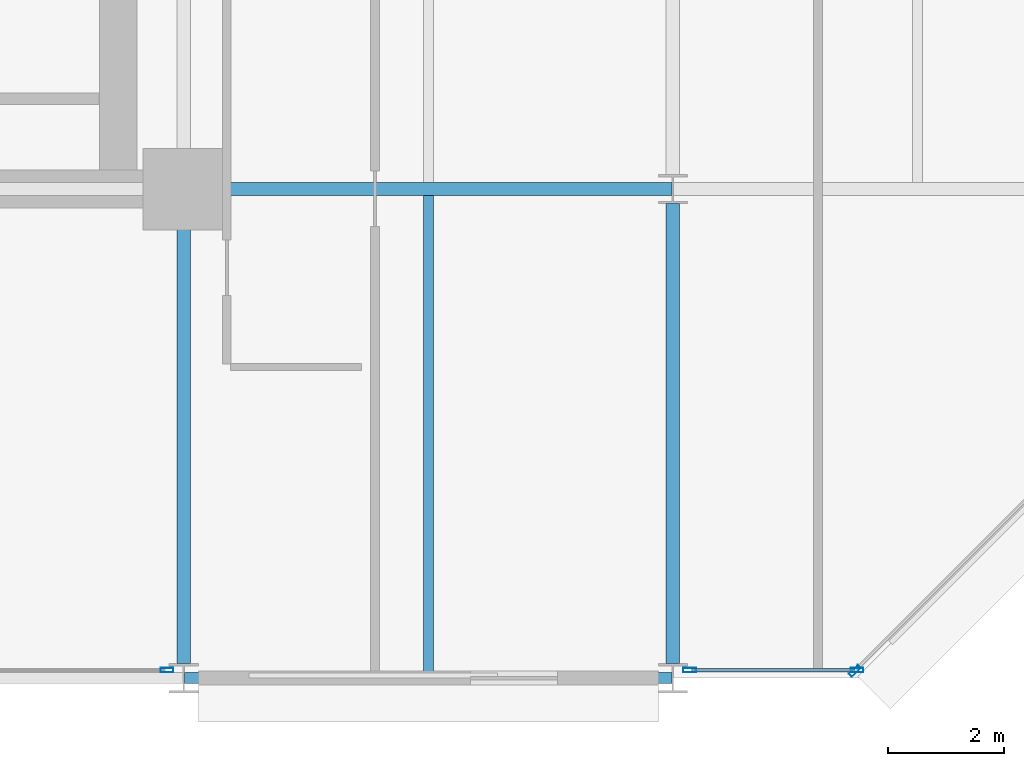
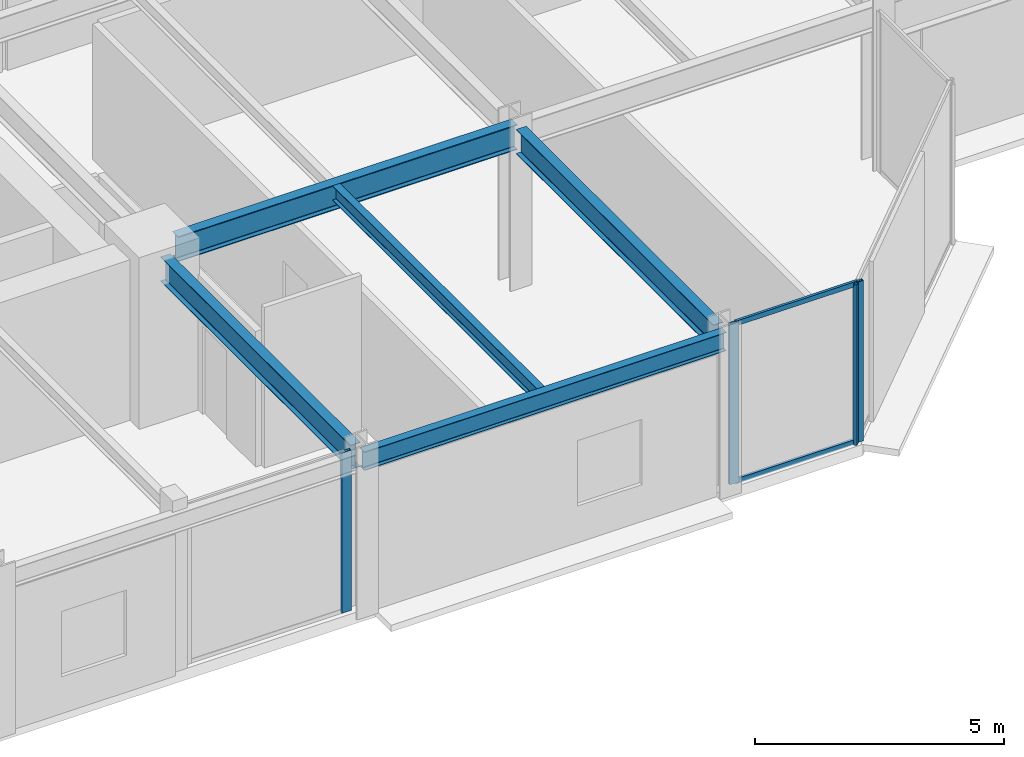
# One storey, part 11 of 27: 6 members, 5 beams, 3 elements without a shape of their own.
"""IFC4 building model written with IfcOpenShell, lengths in metres."""

import ifcopenshell
import ifcopenshell.guid

model = None  # the IFC model being written
_history = None  # IfcOwnerHistory: only IFC2X3 demands one
_inside = {}  # id of a spatial element -> (the spatial element, [elements in it])
_under = {}  # id of a project, library or spatial element -> (it, [spatial elements below it])
_declared = {}  # id of a project -> (the project, [libraries it declares])
_typed = {}  # id of a type object -> (the type object, [elements of that type])
_made_of = {}  # id of a material, layer set ... -> (it, [elements and type objects made of it])


def new_model(schema):
    """Start an empty IFC model of exactly this schema.

    Asked for "IFC4X3", IfcOpenShell would pick the latest addendum, in which some entities
    have other attributes; the version numbers below select the first issue.
    IFC2X3 requires an IfcOwnerHistory on every rooted entity: one is made here for all.
    """
    global model, _history
    if schema == "IFC4X3":
        model = ifcopenshell.file(schema_version=(4, 3, 0, 0))
    else:
        model = ifcopenshell.file(schema=schema)
    _inside.clear()
    _under.clear()
    _declared.clear()
    _typed.clear()
    _made_of.clear()
    _history = None
    if model.schema == "IFC2X3":
        org = make("IfcOrganization", Name="unknown")
        user = make(
            "IfcPersonAndOrganization",
            ThePerson=make("IfcPerson", FamilyName="unknown"),
            TheOrganization=org,
        )
        app = make(
            "IfcApplication",
            ApplicationDeveloper=org,
            Version="unknown",
            ApplicationFullName="unknown",
            ApplicationIdentifier="unknown",
        )
        _history = make(
            "IfcOwnerHistory",
            OwningUser=user,
            OwningApplication=app,
            ChangeAction="ADDED",
            CreationDate=0,
        )
    return model


def make(cls, **values):
    """One entity of the class cls with the attributes given. An attribute that is None is left unset."""
    return model.create_entity(
        cls, **{name: value for name, value in values.items() if value is not None}
    )


def rooted(cls, **values):
    """An entity with a GlobalId (a new one), such as an element, a storey or a relation."""
    return make(cls, GlobalId=ifcopenshell.guid.new(), OwnerHistory=_history, **values)


def si_unit(unit_type, name, prefix=None):
    """IfcSIUnit, for example si_unit("LENGTHUNIT", "METRE", prefix="MILLI")."""
    return make("IfcSIUnit", UnitType=unit_type, Prefix=prefix, Name=name)


def assignment(units):
    """IfcUnitAssignment: the units of a project."""
    return None if units is None else make("IfcUnitAssignment", Units=units)


def point(xyz):
    """IfcCartesianPoint."""
    return None if xyz is None else make("IfcCartesianPoint", Coordinates=xyz)


def direction(xyz):
    """IfcDirection."""
    return None if xyz is None else make("IfcDirection", DirectionRatios=xyz)


def frame(location, z_axis=None, x_axis=None):
    """IfcAxis2Placement3D, a coordinate frame: its origin and axes. An axis left out is left unset."""
    return make(
        "IfcAxis2Placement3D",
        Location=point(location),
        Axis=direction(z_axis),
        RefDirection=direction(x_axis),
    )


def frame_2d(location, x_axis=None):
    """IfcAxis2Placement2D, a coordinate frame in the plane: its origin and x axis."""
    return make(
        "IfcAxis2Placement2D", Location=point(location), RefDirection=direction(x_axis)
    )


def origin():
    """The frame at (0, 0, 0) with its axes left unset."""
    return frame((0.0, 0.0, 0.0))


def origin_2d():
    """The frame at (0, 0) in the plane with its x axis left unset."""
    return frame_2d((0.0, 0.0))


def place(relative_to, where):
    """IfcLocalPlacement: puts the frame where relative to a parent placement (None: the world)."""
    return make(
        "IfcLocalPlacement", PlacementRelTo=relative_to, RelativePlacement=where
    )


def context(
    kind, dimensions, precision=None, world=None, true_north=None, identifier=None
):
    """IfcGeometricRepresentationContext, for example the 3D "Model" context."""
    return make(
        "IfcGeometricRepresentationContext",
        ContextIdentifier=identifier,
        ContextType=kind,
        CoordinateSpaceDimension=dimensions,
        Precision=precision,
        WorldCoordinateSystem=world,
        TrueNorth=true_north,
    )


def subcontext(parent, identifier, kind, view, scale=None):
    """IfcGeometricRepresentationSubContext, for example "Body" below "Model"."""
    return make(
        "IfcGeometricRepresentationSubContext",
        ContextIdentifier=identifier,
        ContextType=kind,
        ParentContext=parent,
        TargetScale=scale,
        TargetView=view,
    )


def project(units=None, contexts=None):
    """IfcProject with its units and contexts."""
    return rooted(
        "IfcProject",
        Name="project",
        RepresentationContexts=contexts,
        UnitsInContext=assignment(units),
    )


def spatial(cls, under=None, at=None, **own):
    """A site, building, storey or space (cls), placed at a placement, below another one or the project."""
    s = rooted(cls, ObjectPlacement=at, **own)
    if under is not None:
        _under.setdefault(under.id(), (under, []))[1].append(s)
    return s


def profile(cls, at=None, kind="AREA", **sizes):
    """A parametric profile (cls). Its sizes go by their IFC names, for example OverallWidth=200.0."""
    return make(cls, ProfileType=kind, Position=at, **sizes)


def hollow_rectangle(**sizes):
    """IfcRectangleHollowProfileDef."""
    return profile("IfcRectangleHollowProfileDef", **sizes)


def i_section(**sizes):
    """IfcIShapeProfileDef."""
    return profile("IfcIShapeProfileDef", **sizes)


def extrude(swept, where, along, depth):
    """IfcExtrudedAreaSolid: the profile swept, set in the frame where, extruded along a direction by depth."""
    return make(
        "IfcExtrudedAreaSolid",
        SweptArea=swept,
        Position=where,
        ExtrudedDirection=direction(along),
        Depth=depth,
    )


def shape(context_of_items, identifier, shape_type, items):
    """IfcShapeRepresentation: the items that make up one representation, for example the "Body"."""
    return make(
        "IfcShapeRepresentation",
        ContextOfItems=context_of_items,
        RepresentationIdentifier=identifier,
        RepresentationType=shape_type,
        Items=items,
    )


def material(Name=None, Category=None):
    """IfcMaterial."""
    return make("IfcMaterial", Name=Name, Category=Category)


def layer(
    of_material, thickness, ventilated=None, Name=None, Category=None, Priority=None
):
    """IfcMaterialLayer: one layer of a wall or slab, of a material (None: an air gap)."""
    return make(
        "IfcMaterialLayer",
        Material=of_material,
        LayerThickness=thickness,
        IsVentilated=ventilated,
        Name=Name,
        Category=Category,
        Priority=Priority,
    )


def layer_set(layers, Name=None):
    """IfcMaterialLayerSet."""
    return make("IfcMaterialLayerSet", MaterialLayers=layers, LayerSetName=Name)


def material_profile(
    of_material, cross_section, Name=None, Category=None, Priority=None
):
    """IfcMaterialProfile: a cross section and its material."""
    return make(
        "IfcMaterialProfile",
        Name=Name,
        Material=of_material,
        Profile=cross_section,
        Priority=Priority,
        Category=Category,
    )


def profile_set(profiles, Name=None, composite=None):
    """IfcMaterialProfileSet."""
    return make(
        "IfcMaterialProfileSet",
        Name=Name,
        MaterialProfiles=profiles,
        CompositeProfile=composite,
    )


def made_of(thing, what):
    """Note that an element or type object is made of a material, layer set ...; save() writes the relation."""
    if what is not None:
        _made_of.setdefault(what.id(), (what, []))[1].append(thing)
    return thing


def type_object(cls, material=None, **own):
    """A type object (cls), such as IfcWallType, which elements share."""
    return made_of(rooted(cls, **own), material)


def element(
    cls,
    number,
    at=None,
    inside=None,
    cuts=None,
    type_object=None,
    material=None,
    context=None,
    identifier="Body",
    shape_type=None,
    held_by="IfcProductDefinitionShape",
    body=None,
    shapes=None,
    **own,
):
    """One element of the class cls, such as IfcWall. Its Tag is "e" and its number.

    at: its placement. inside: the storey or other place that contains it. cuts: it is an
    opening in that element (IfcRelVoidsElement). A single representation is given by context,
    identifier, shape_type and body (its items); several are given by shapes. held_by: the class
    of the entity that holds the representations. save() writes the other relations.
    """
    e = rooted(cls, Tag="e%d" % number, ObjectPlacement=at, **own)
    if body is not None:
        shapes = [shape(context, identifier, shape_type, body)]
    if shapes is not None:
        e.Representation = make(held_by, Representations=shapes)
    if inside is not None:
        _inside.setdefault(inside.id(), (inside, []))[1].append(e)
    if cuts is not None:
        rooted(
            "IfcRelVoidsElement", RelatingBuildingElement=cuts, RelatedOpeningElement=e
        )
    if type_object is not None:
        _typed.setdefault(type_object.id(), (type_object, []))[1].append(e)
    return made_of(e, material)


def aggregate(whole, parts):
    """IfcRelAggregates: a whole, such as a stair, and the parts it consists of."""
    return rooted("IfcRelAggregates", RelatingObject=whole, RelatedObjects=parts)


def save(model, path):
    """Write the relations noted so far, then the file.

    IfcRelAggregates (storeys below a building ...), IfcRelContainedInSpatialStructure (elements
    in a storey), IfcRelDefinesByType, IfcRelAssociatesMaterial and IfcRelDeclares: one each for
    every whole, place, type object, material and project.
    """
    for whole, parts in _under.values():
        aggregate(whole, parts)
    for where, things in _inside.values():
        rooted(
            "IfcRelContainedInSpatialStructure",
            RelatedElements=things,
            RelatingStructure=where,
        )
    for kind, things in _typed.values():
        rooted("IfcRelDefinesByType", RelatedObjects=things, RelatingType=kind)
    for what, things in _made_of.values():
        rooted("IfcRelAssociatesMaterial", RelatedObjects=things, RelatingMaterial=what)
    for by, libraries in _declared.values():
        rooted("IfcRelDeclares", RelatingContext=by, RelatedDefinitions=libraries)
    model.write(path)


model = new_model("IFC4")

# Units and contexts
model_context = context("Model", 3, precision=1e-05, world=origin(), true_north=direction((0.0, 1.0)))
body_context = subcontext(model_context, "Body", "Model", "MODEL_VIEW")
ifc_project = project(units=[si_unit("LENGTHUNIT", "METRE"), si_unit("AREAUNIT", "SQUARE_METRE"), si_unit("VOLUMEUNIT", "CUBIC_METRE"), si_unit("PLANEANGLEUNIT", "RADIAN"), si_unit("MASSUNIT", "GRAM", prefix="KILO")], contexts=[model_context])

# Site, building, storey
site_placement = place(None, origin())
site = spatial("IfcSite", under=ifc_project, at=site_placement, CompositionType="ELEMENT")
building_placement = place(site_placement, origin())
building = spatial("IfcBuilding", under=site, at=building_placement, Name="Nerrivon Quay Data Exchange", CompositionType="ELEMENT")
storey_placement = place(building_placement, frame((0.0, 0.0, 66.800048828125)))
storey = spatial("IfcBuildingStorey", under=building, at=storey_placement, Name="L15", CompositionType="ELEMENT", Elevation=66.800048828125)

# Beams
ifc_material_1 = material(Name="Steel Grade 350", Category="steel")
ifc_material_profile_1 = material_profile(ifc_material_1, i_section(OverallWidth=0.22900390625, OverallDepth=0.612060546875, WebThickness=0.011962890625, FlangeThickness=0.01953125, FilletRadius=0.013916015625, at=origin_2d()), Name="610UB125")
ifc_profile_set_1 = profile_set([ifc_material_profile_1], Name="Steel Grade 350")
beam_type_1 = type_object("IfcBeamType", Name="BM-G1-610UB125", PredefinedType="BEAM", material=ifc_profile_set_1)
beam_1_placement = place(storey_placement, frame((34.139892578125, 8.39990234375, 3.618896484375), z_axis=(1.0, 0.0, 0.0), x_axis=(0.0, 1.0, 0.0)))
element("IfcBeam", 1, at=beam_1_placement, inside=storey, type_object=beam_type_1, Name="L15 EW Girder Y=8.4 (33.6..42.0)", PredefinedType="BEAM", context=body_context, shape_type="SweptSolid", body=[
    extrude(i_section(OverallWidth=0.22900390625, OverallDepth=0.612060546875, WebThickness=0.011962890625, FlangeThickness=0.01953125, FilletRadius=0.013916015625, at=origin_2d()), origin(), (0.0, 0.0, 1.0), 7.84619140625),
])
ifc_material_profile_2 = material_profile(ifc_material_1, i_section(OverallWidth=0.22802734375, OverallDepth=0.60205078125, WebThickness=0.010498046875, FlangeThickness=0.014892578125, FilletRadius=0.013916015625, at=origin_2d()), Name="610UB101")
ifc_profile_set_2 = profile_set([ifc_material_profile_2], Name="Steel Grade 350")
beam_type_2 = type_object("IfcBeamType", Name="BM-G2-610UB101", PredefinedType="BEAM", material=ifc_profile_set_2)
beam_2_placement = place(storey_placement, frame((33.60009765625, 0.25, 3.6240234375), z_axis=(0.0, 1.0, 0.0), x_axis=(-1.0, 0.0, 0.0)))
element("IfcBeam", 2, at=beam_2_placement, inside=storey, type_object=beam_type_2, Name="L15 NS Girder X=33.6 (0.0..8.4)", PredefinedType="BEAM", context=body_context, shape_type="SweptSolid", body=[
    extrude(i_section(OverallWidth=0.22802734375, OverallDepth=0.60205078125, WebThickness=0.010498046875, FlangeThickness=0.014892578125, FilletRadius=0.013916015625, at=origin_2d()), origin(), (0.0, 0.0, 1.0), 7.610107421875),
])
beam_3_placement = place(storey_placement, frame((42.0, 0.25, 3.6240234375), z_axis=(0.0, 1.0, 0.0), x_axis=(-1.0, 0.0, 0.0)))
element("IfcBeam", 3, at=beam_3_placement, inside=storey, type_object=beam_type_2, Name="L15 NS Girder X=42.0 (0.0..8.4)", PredefinedType="BEAM", context=body_context, shape_type="SweptSolid", body=[
    extrude(i_section(OverallWidth=0.22802734375, OverallDepth=0.60205078125, WebThickness=0.010498046875, FlangeThickness=0.014892578125, FilletRadius=0.013916015625, at=origin_2d()), origin(), (0.0, 0.0, 1.0), 7.89990234375),
])
ifc_material_profile_3 = material_profile(ifc_material_1, i_section(OverallWidth=0.172119140625, OverallDepth=0.35888671875, WebThickness=0.008056640625, FlangeThickness=0.012939453125, FilletRadius=0.011474609375, at=origin_2d()), Name="360UB56.7")
ifc_profile_set_3 = profile_set([ifc_material_profile_3], Name="Steel Grade 350")
beam_type_3 = type_object("IfcBeamType", Name="BM-J3-360UB57", PredefinedType="JOIST", material=ifc_profile_set_3)
beam_4_placement = place(storey_placement, frame((37.800048828125, 0.094970703125, 3.745361328125), z_axis=(0.0, 1.0, 0.0), x_axis=(-1.0, 0.0, 0.0)))
element("IfcBeam", 4, at=beam_4_placement, inside=storey, type_object=beam_type_3, Name="L15 Secondary Joist X=37.8 (0.0..8.4)", PredefinedType="JOIST", context=body_context, shape_type="SweptSolid", body=[
    extrude(i_section(OverallWidth=0.172119140625, OverallDepth=0.35888671875, WebThickness=0.008056640625, FlangeThickness=0.012939453125, FilletRadius=0.011474609375, at=origin_2d()), origin(), (0.0, 0.0, 1.0), 8.1904296875),
])
ifc_material_profile_4 = material_profile(ifc_material_1, i_section(OverallWidth=0.18994140625, OverallDepth=0.4541015625, WebThickness=0.008544921875, FlangeThickness=0.0126953125, FilletRadius=0.011474609375, at=origin_2d()), Name="460UB67.1")
ifc_profile_set_4 = profile_set([ifc_material_profile_4], Name="Steel Grade 350")
beam_type_4 = type_object("IfcBeamType", Name="BM-SP1-460UB67", PredefinedType="SPANDREL", material=ifc_profile_set_4)
beam_5_placement = place(storey_placement, frame((33.614013671875, 0.0, 3.697998046875), z_axis=(1.0, 0.0, 0.0), x_axis=(0.0, 1.0, 0.0)))
element("IfcBeam", 5, at=beam_5_placement, inside=storey, type_object=beam_type_4, Name="L15 EW Girder Y=0.0 (33.6..42.0)", PredefinedType="SPANDREL", context=body_context, shape_type="SweptSolid", body=[
    extrude(i_section(OverallWidth=0.18994140625, OverallDepth=0.4541015625, WebThickness=0.008544921875, FlangeThickness=0.0126953125, FilletRadius=0.011474609375, at=origin_2d()), origin(), (0.0, 0.0, 1.0), 8.3720703125),
])

# Curtain wall, member
ifc_material_2 = material(Name="Anodised aluminium 6063-T6", Category="aluminium")
ifc_layer = layer(ifc_material_2, 0.219970703125)
ifc_layer_set = layer_set([ifc_layer], Name="Anodised aluminium 6063-T6")
curtain_wall_type = type_object("IfcCurtainWallType", Name="CW-SYS-01", PredefinedType="NOTDEFINED", material=ifc_layer_set)
curtain_wall_1_placement = place(storey_placement, origin())
curtain_wall_1 = element("IfcCurtainWall", 6, at=curtain_wall_1_placement, inside=storey, type_object=curtain_wall_type, Name="L15 Unitised Curtain Wall 5", PredefinedType="NOTDEFINED")
ifc_material_profile_5 = material_profile(ifc_material_2, hollow_rectangle(XDim=0.074951171875, YDim=0.219970703125, WallThickness=0.00390625, at=origin_2d()), Name="ALU-MULL-220x75")
ifc_profile_set_5 = profile_set([ifc_material_profile_5], Name="Anodised aluminium 6063-T6")
member_type_1 = type_object("IfcMemberType", Name="CWM-220x75", PredefinedType="MULLION", material=ifc_profile_set_5)
member_1_placement = place(storey_placement, frame((45.12744140625, 0.12548828125, 0.0), z_axis=(0.0, 0.0, 1.0), x_axis=(0.707106781187, -0.707106781187, 0.0)))
member_1 = element("IfcMember", 7, at=member_1_placement, type_object=member_type_1, Name="CW01 mullion 2", PredefinedType="MULLION", context=body_context, shape_type="SweptSolid", body=[
    extrude(hollow_rectangle(XDim=0.074951171875, YDim=0.219970703125, WallThickness=0.00390625, at=origin_2d()), origin(), (0.0, 0.0, 1.0), 3.925048828125),
])
aggregate(curtain_wall_1, [member_1])

# Curtain wall, members
curtain_wall_2_placement = place(storey_placement, origin())
curtain_wall_2 = element("IfcCurtainWall", 8, at=curtain_wall_2_placement, inside=storey, type_object=curtain_wall_type, Name="L15 Unitised Curtain Wall 6", PredefinedType="NOTDEFINED")
member_2_placement = place(storey_placement, frame((45.16259765625, 0.139892578125, 0.0), z_axis=(0.0, 0.0, 1.0), x_axis=(0.0, -1.0, 0.0)))
member_2 = element("IfcMember", 9, at=member_2_placement, type_object=member_type_1, Name="CW01 mullion 1", PredefinedType="MULLION", context=body_context, shape_type="SweptSolid", body=[
    extrude(hollow_rectangle(XDim=0.074951171875, YDim=0.219970703125, WallThickness=0.00390625, at=origin_2d()), origin(), (0.0, 0.0, 1.0), 3.925048828125),
])
member_3_placement = place(storey_placement, frame((42.28759765625, 0.139892578125, 0.0), z_axis=(0.0, 0.0, 1.0), x_axis=(0.0, -1.0, 0.0)))
member_3 = element("IfcMember", 10, at=member_3_placement, type_object=member_type_1, Name="CW01 mullion 2", PredefinedType="MULLION", context=body_context, shape_type="SweptSolid", body=[
    extrude(hollow_rectangle(XDim=0.074951171875, YDim=0.219970703125, WallThickness=0.00390625, at=origin_2d()), origin(), (0.0, 0.0, 1.0), 3.925048828125),
])

# Curtain wall, member
curtain_wall_3_placement = place(storey_placement, origin())
curtain_wall_3 = element("IfcCurtainWall", 11, at=curtain_wall_3_placement, inside=storey, type_object=curtain_wall_type, Name="L15 Unitised Curtain Wall 8", PredefinedType="NOTDEFINED")
member_4_placement = place(storey_placement, frame((33.3125, 0.139892578125, 0.0), z_axis=(0.0, 0.0, 1.0), x_axis=(0.0, -1.0, 0.0)))
member_4 = element("IfcMember", 12, at=member_4_placement, type_object=member_type_1, Name="CW01 mullion 1", PredefinedType="MULLION", context=body_context, shape_type="SweptSolid", body=[
    extrude(hollow_rectangle(XDim=0.074951171875, YDim=0.219970703125, WallThickness=0.00390625, at=origin_2d()), origin(), (0.0, 0.0, 1.0), 3.925048828125),
])
aggregate(curtain_wall_3, [member_4])

# Member
ifc_material_profile_6 = material_profile(ifc_material_2, hollow_rectangle(XDim=0.06005859375, YDim=0.1201171875, WallThickness=0.003173828125, at=origin_2d()), Name="ALU-TRAN-120x60")
ifc_profile_set_6 = profile_set([ifc_material_profile_6], Name="Anodised aluminium 6063-T6")
member_type_2 = type_object("IfcMemberType", Name="CWT-120x60", PredefinedType="USERDEFINED", material=ifc_profile_set_6)
member_5_placement = place(storey_placement, frame((45.125, 0.139892578125, 0.032470703125), z_axis=(-1.0, 0.0, 0.0), x_axis=(0.0, -1.0, 0.0)))
member_5 = element("IfcMember", 13, at=member_5_placement, type_object=member_type_2, Name="CW01 transom 1.1", ObjectType="TRANSOM", PredefinedType="USERDEFINED", context=body_context, shape_type="SweptSolid", body=[
    extrude(hollow_rectangle(XDim=0.06005859375, YDim=0.1201171875, WallThickness=0.003173828125, at=origin_2d()), origin(), (0.0, 0.0, 1.0), 2.800048828125),
])

member_6_placement = place(storey_placement, frame((45.125, 0.139892578125, 3.892333984375), z_axis=(-1.0, 0.0, 0.0), x_axis=(0.0, -1.0, 0.0)))
member_6 = element("IfcMember", 14, at=member_6_placement, type_object=member_type_2, Name="CW01 transom 1.2", ObjectType="TRANSOM", PredefinedType="USERDEFINED", context=body_context, shape_type="SweptSolid", body=[
    extrude(hollow_rectangle(XDim=0.06005859375, YDim=0.1201171875, WallThickness=0.003173828125, at=origin_2d()), origin(), (0.0, 0.0, 1.0), 2.800048828125),
])

aggregate(curtain_wall_2, [member_2, member_3, member_5, member_6])

save(model, "model.ifc")
